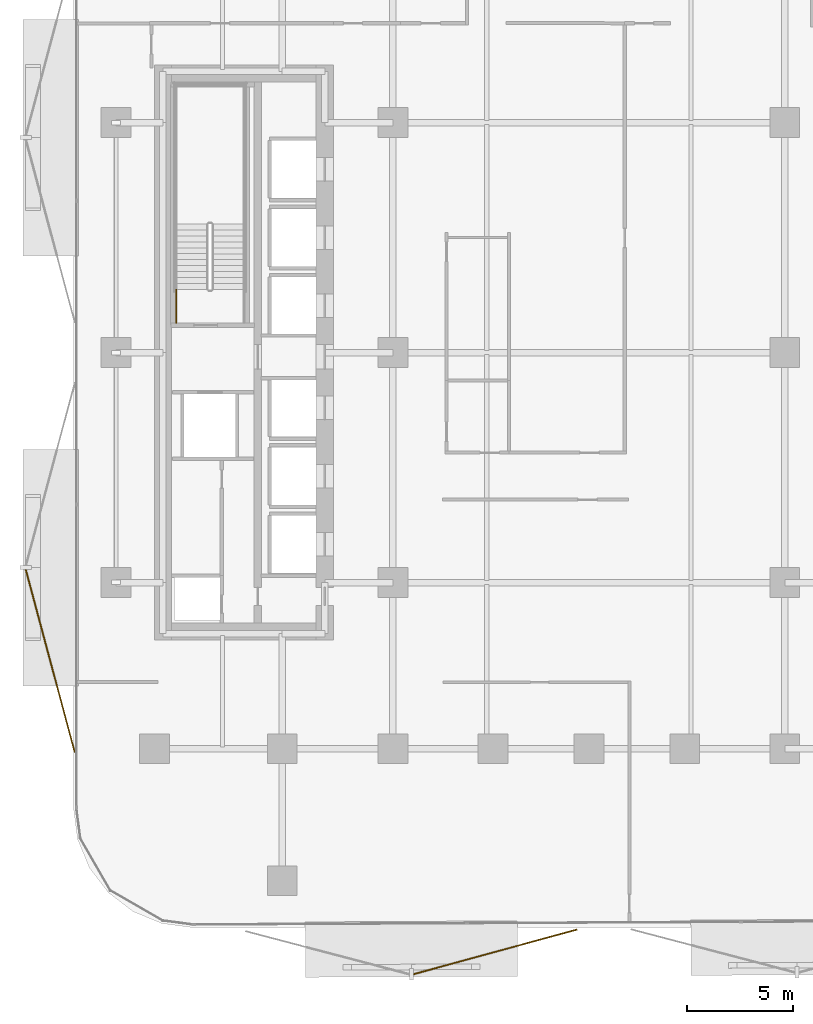
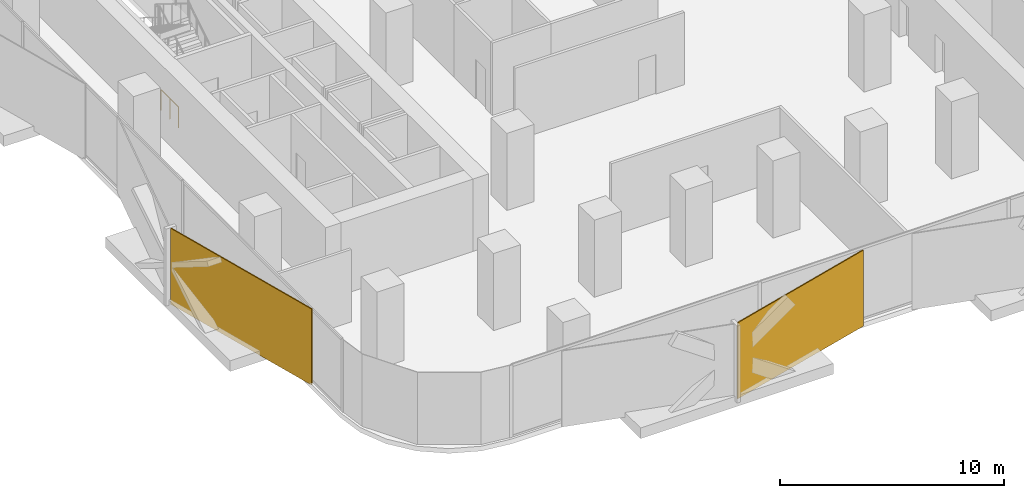
# One storey, part 11 of 15: 2 coverings, 1 railing.
"""IFC4 building model written with IfcOpenShell, lengths in metres."""

from ifc_helpers import new_model, si_unit, direction, frame, origin, origin_2d, place, context, subcontext, project, spatial, rectangle, circle, extrude, material, layer, layer_set, type_object, element, save


model = new_model("IFC4")

# Units and contexts
model_context = context("Model", 3, precision=1e-05, world=origin(), true_north=direction((0.0, 1.0)))
body_context = subcontext(model_context, "Body", "Model", "MODEL_VIEW")
ifc_project = project(units=[si_unit("LENGTHUNIT", "METRE"), si_unit("AREAUNIT", "SQUARE_METRE"), si_unit("VOLUMEUNIT", "CUBIC_METRE"), si_unit("PLANEANGLEUNIT", "RADIAN"), si_unit("MASSUNIT", "GRAM", prefix="KILO")], contexts=[model_context])

# Site, building, storey
site_placement = place(None, origin())
site = spatial("IfcSite", under=ifc_project, at=site_placement, CompositionType="ELEMENT")
building_placement = place(site_placement, origin())
building = spatial("IfcBuilding", under=site, at=building_placement, Name="Khairoan Windgate Tower", CompositionType="ELEMENT")
storey_placement = place(building_placement, frame((0.0, 0.0, 68.0)))
storey = spatial("IfcBuildingStorey", under=building, at=storey_placement, Name="L16", CompositionType="ELEMENT", Elevation=68.0)

# Coverings
ifc_material_1 = material(Name="Anodised Bronze Aluminium 6063-T6", Category="aluminium")
ifc_layer = layer(ifc_material_1, 0.054931640625, Name="Anodised Bronze Aluminium 6063-T6")
ifc_layer_set = layer_set([ifc_layer], Name="Anodised Bronze Aluminium 6063-T6")
covering_type = type_object("IfcCoveringType", Name="Perforated Bronze-Ceramic Folded Solar Screen Cladding BSC-1", PredefinedType="CLADDING", material=ifc_layer_set)
covering_1_placement = place(storey_placement, frame((-4.396484375, -28.140380859375, -0.10009765625), z_axis=(0.0, 0.0, 1.0), x_axis=(-0.964649468762, -0.263536339841, 0.0)))
element("IfcCovering", 1, at=covering_1_placement, inside=storey, type_object=covering_type, Name="L16 Folded Bronze Solar Screen Facet 82L", PredefinedType="CLADDING", context=body_context, shape_type="SweptSolid", body=[
    extrude(rectangle(XDim=7.965087890625, YDim=0.054931640625, at=origin_2d()), origin(), (0.0, 0.0, 1.0), 4.139892578125),
])
covering_2_placement = place(storey_placement, frame((-25.290283203125, -14.47607421875, -0.10009765625), z_axis=(0.0, 0.0, 1.0), x_axis=(-0.258819045103, 0.965925826289, 0.0)))
element("IfcCovering", 2, at=covering_2_placement, inside=storey, type_object=covering_type, Name="L16 Folded Bronze Solar Screen Facet 83L", PredefinedType="CLADDING", context=body_context, shape_type="SweptSolid", body=[
    extrude(rectangle(XDim=8.884033203125, YDim=0.054931640625, at=origin_2d()), origin(), (0.0, 0.0, 1.0), 4.139892578125),
])

# Railing
ifc_material_2 = material(Name="Steel S355", Category="steel")
railing_type = type_object("IfcRailingType", Name="Stairwell Safety Guardrail SGR-1150", PredefinedType="GUARDRAIL", material=ifc_material_2)
railing_placement = place(storey_placement, frame((-19.3701171875, 1.39990234375, 0.0)))
element("IfcRailing", 3, at=railing_placement, inside=storey, type_object=railing_type, Name="L16 ST2 stair guard 9", PredefinedType="GUARDRAIL", context=body_context, shape_type="SweptSolid", body=[
    extrude(circle(Radius=0.02392578125, at=origin_2d()), frame((0.0, 0.0, 1.1259765625), z_axis=(0.0, 1.0, 0.0), x_axis=(-1.0, 0.0, 0.0)), (0.0, 0.0, 1.0), 1.56005859375),
    extrude(circle(Radius=0.02099609375, at=origin_2d()), origin(), (0.0, 0.0, 1.0), 1.101806640625),
    extrude(circle(Radius=0.02099609375, at=origin_2d()), frame((0.0, 0.780029296875, 0.0)), (0.0, 0.0, 1.0), 1.101806640625),
    extrude(circle(Radius=0.02099609375, at=origin_2d()), frame((0.0, 1.56005859375, 0.0)), (0.0, 0.0, 1.0), 1.101806640625),
])

save(model, "model.ifc")
